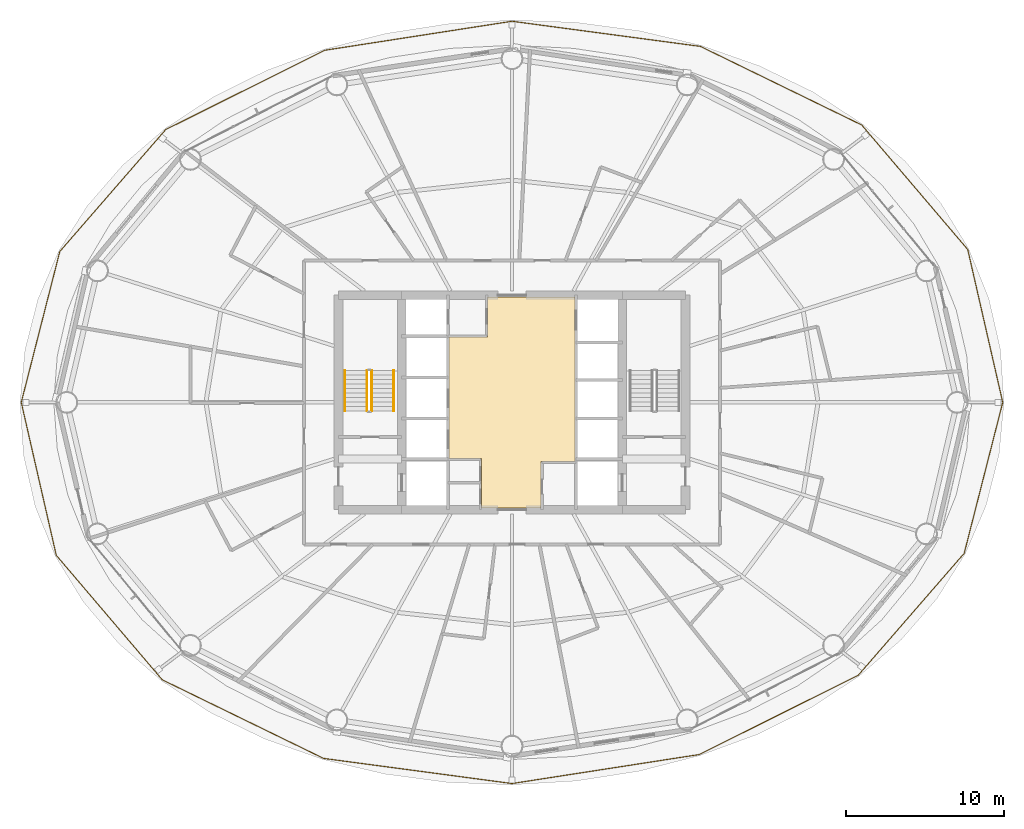
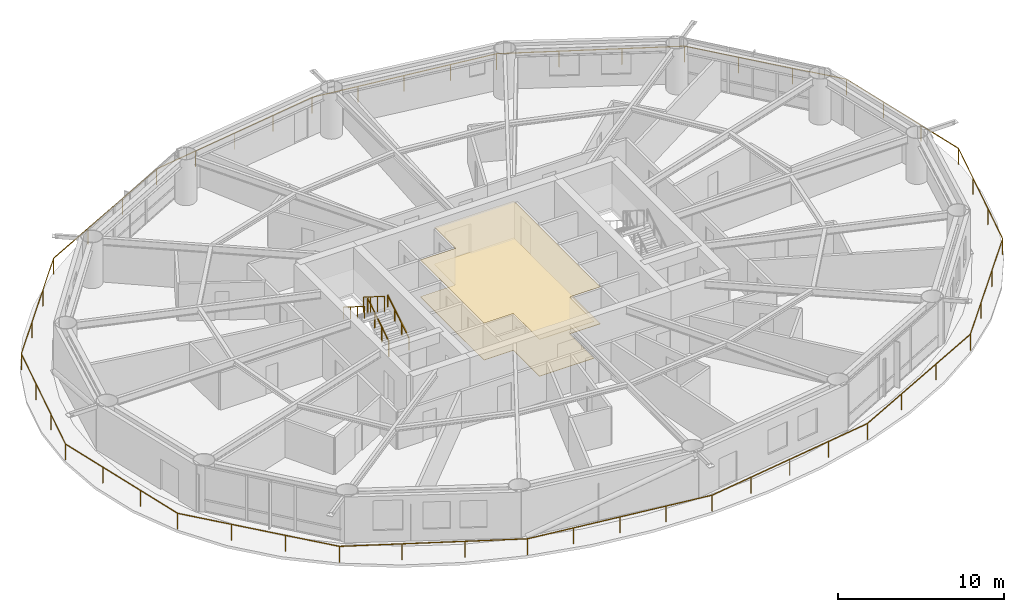
# One storey, part 23 of 24: 5 railings, 2 coverings.
"""IFC4 building model written with IfcOpenShell, lengths in metres."""

from ifc_helpers import new_model, si_unit, direction, frame, origin, origin_2d, place, context, subcontext, project, spatial, polyline, rectangle, outline, extrude, material, layer, layer_set, type_object, element, save


model = new_model("IFC4")

# Units and contexts
model_context = context("Model", 3, precision=1e-05, world=origin(), true_north=direction((0.0, 1.0)))
body_context = subcontext(model_context, "Body", "Model", "MODEL_VIEW")
ifc_project = project(units=[si_unit("LENGTHUNIT", "METRE"), si_unit("AREAUNIT", "SQUARE_METRE"), si_unit("VOLUMEUNIT", "CUBIC_METRE"), si_unit("PLANEANGLEUNIT", "RADIAN"), si_unit("MASSUNIT", "GRAM", prefix="KILO")], contexts=[model_context])

# Site, building, storey
site_placement = place(None, origin())
site = spatial("IfcSite", under=ifc_project, at=site_placement, CompositionType="ELEMENT")
building_placement = place(site_placement, origin())
building = spatial("IfcBuilding", under=site, at=building_placement, Name="Sarneth Arch Tower", CompositionType="ELEMENT")
storey_placement = place(building_placement, frame((0.0, 0.0, 91.199951171875)))
storey = spatial("IfcBuildingStorey", under=building, at=storey_placement, Name="L22", CompositionType="ELEMENT", Elevation=91.199951171875)

# Coverings
ifc_material_1 = material(Name="Perforated acoustic gypsum ceiling board")
ifc_layer_1 = layer(ifc_material_1, 0.02490234375)
ifc_layer_set_1 = layer_set([ifc_layer_1], Name="Perforated acoustic gypsum ceiling board")
covering_type_1 = type_object("IfcCoveringType", Name="COV-CEIL-GYP", PredefinedType="CEILING", material=ifc_layer_set_1)
covering_1_placement = place(storey_placement, frame((0.0, 0.0, 2.7099609375)))
element("IfcCovering", 1, at=covering_1_placement, inside=storey, type_object=covering_type_1, Name="L22 Lift lobby acoustic ceiling", PredefinedType="CEILING", context=body_context, shape_type="SweptSolid", body=[
    extrude(outline(polyline([(49.85009765625, 38.25), (49.85009765625, 35.300048828125), (46.050048828125, 35.300048828125), (46.050048828125, 38.449951171875), (44.0, 38.449951171875), (44.0, 46.14990234375), (46.449951171875, 46.14990234375), (46.449951171875, 48.699951171875), (52.0, 48.699951171875), (52.0, 38.25), (49.85009765625, 38.25)])), origin(), (0.0, 0.0, 1.0), 0.030029296875),
])
ifc_material_2 = material(Name="Honed granite stone flooring", Category="masonry")
ifc_layer_2 = layer(ifc_material_2, 0.030029296875)
ifc_layer_set_2 = layer_set([ifc_layer_2], Name="Honed granite stone flooring")
covering_type_2 = type_object("IfcCoveringType", Name="COV-FLR-STONE", PredefinedType="FLOORING", material=ifc_layer_set_2)
covering_2_placement = place(storey_placement, origin())
element("IfcCovering", 2, at=covering_2_placement, inside=storey, type_object=covering_type_2, Name="L22 Lift lobby granite flooring", PredefinedType="FLOORING", context=body_context, shape_type="SweptSolid", body=[
    extrude(outline(polyline([(49.85009765625, 38.25), (49.85009765625, 35.300048828125), (46.050048828125, 35.300048828125), (46.050048828125, 38.449951171875), (44.0, 38.449951171875), (44.0, 46.14990234375), (46.449951171875, 46.14990234375), (46.449951171875, 48.699951171875), (52.0, 48.699951171875), (52.0, 38.25), (49.85009765625, 38.25)])), origin(), (0.0, 0.0, 1.0), 0.030029296875),
])

# Railings
ifc_material_3 = material(Name="Laminated structural glass infill with Stainless Steel 316 top rail and posts", Category="steel")
railing_type_1 = type_object("IfcRailingType", Name="RAIL-BALC-1200", PredefinedType="BALUSTRADE", material=ifc_material_3)
railing_1_placement = place(storey_placement, frame((79.127197265625, 42.0, 0.0)))
element("IfcRailing", 3, at=railing_1_placement, inside=storey, type_object=railing_type_1, Name="L22 Helical balcony glass balustrade", PredefinedType="BALUSTRADE", context=body_context, shape_type="SweptSolid", body=[
    extrude(rectangle(XDim=0.048095703125, YDim=0.048095703125, at=origin_2d()), frame((0.0, 0.0, 1.17578125), z_axis=(-0.223203239063, 0.974771929259, 0.0), x_axis=(-0.974771929259, -0.223203239063, 0.0)), (0.0, 0.0, 1.0), 9.94921875),
    extrude(rectangle(XDim=0.048095703125, YDim=0.048095703125, at=origin_2d()), frame((-2.220703125, 9.6982421875, 1.17578125), z_axis=(-0.648252225196, 0.761425671047, 0.0), x_axis=(-0.761425671047, -0.648252225196, 0.0)), (0.0, 0.0, 1.0), 10.371826171875),
    extrude(rectangle(XDim=0.048095703125, YDim=0.048095703125, at=origin_2d()), frame((-8.9443359375, 17.595703125, 1.17578125), z_axis=(-0.898980120889, 0.43798943166, 0.0), x_axis=(-0.43798943166, -0.898980120889, 0.0)), (0.0, 0.0, 1.0), 11.37841796875),
    extrude(rectangle(XDim=0.048095703125, YDim=0.048095703125, at=origin_2d()), frame((-19.17333984375, 22.579345703125, 1.17578125), z_axis=(-0.991202422705, 0.132354664535, 0.0), x_axis=(-0.132354664535, -0.991202422705, 0.0)), (0.0, 0.0, 1.0), 12.06005859375),
    extrude(rectangle(XDim=0.048095703125, YDim=0.048095703125, at=origin_2d()), frame((-31.127197265625, 24.175537109375, 1.17578125), z_axis=(-0.988194908919, -0.153201899422, 0.0), x_axis=(0.153201899422, -0.988194908919, 0.0)), (0.0, 0.0, 1.0), 12.018798828125),
    extrude(rectangle(XDim=0.048095703125, YDim=0.048095703125, at=origin_2d()), frame((-43.004150390625, 22.334228515625, 1.17578125), z_axis=(-0.894946425896, -0.44617361506, 0.0), x_axis=(0.44617361506, -0.894946425896, 0.0)), (0.0, 0.0, 1.0), 11.271484375),
    extrude(rectangle(XDim=0.048095703125, YDim=0.048095703125, at=origin_2d()), frame((-53.091552734375, 17.30517578125, 1.17578125), z_axis=(-0.655839329798, -0.754900505689, 0.0), x_axis=(0.754900505689, -0.655839329798, 0.0)), (0.0, 0.0, 1.0), 10.24267578125),
    extrude(rectangle(XDim=0.048095703125, YDim=0.048095703125, at=origin_2d()), frame((-59.80908203125, 9.572998046875, 1.17578125), z_axis=(-0.247491827543, -0.968889981009, 0.0), x_axis=(0.968889981009, -0.247491827543, 0.0)), (0.0, 0.0, 1.0), 9.88037109375),
    extrude(rectangle(XDim=0.048095703125, YDim=0.048095703125, at=origin_2d()), frame((-62.25439453125, 0.0, 1.17578125), z_axis=(0.223203239063, -0.974771929259, 0.0), x_axis=(0.974771929259, 0.223203239063, 0.0)), (0.0, 0.0, 1.0), 9.94921875),
    extrude(rectangle(XDim=0.048095703125, YDim=0.048095703125, at=origin_2d()), frame((-60.03369140625, -9.6982421875, 1.17578125), z_axis=(0.648252225196, -0.761425671047, 0.0), x_axis=(0.761425671047, 0.648252225196, 0.0)), (0.0, 0.0, 1.0), 10.371826171875),
    extrude(rectangle(XDim=0.048095703125, YDim=0.048095703125, at=origin_2d()), frame((-53.31005859375, -17.595703125, 1.17578125), z_axis=(0.898980120889, -0.43798943166, 0.0), x_axis=(0.43798943166, 0.898980120889, 0.0)), (0.0, 0.0, 1.0), 11.37841796875),
    extrude(rectangle(XDim=0.048095703125, YDim=0.048095703125, at=origin_2d()), frame((-43.0810546875, -22.579345703125, 1.17578125), z_axis=(0.991202422705, -0.132354664535, 0.0), x_axis=(0.132354664535, 0.991202422705, 0.0)), (0.0, 0.0, 1.0), 12.06005859375),
    extrude(rectangle(XDim=0.048095703125, YDim=0.048095703125, at=origin_2d()), frame((-31.127197265625, -24.175537109375, 1.17578125), z_axis=(0.988194908919, 0.153201899422, 0.0), x_axis=(-0.153201899422, 0.988194908919, 0.0)), (0.0, 0.0, 1.0), 12.018798828125),
    extrude(rectangle(XDim=0.048095703125, YDim=0.048095703125, at=origin_2d()), frame((-19.250244140625, -22.334228515625, 1.17578125), z_axis=(0.894946425896, 0.44617361506, 0.0), x_axis=(-0.44617361506, 0.894946425896, 0.0)), (0.0, 0.0, 1.0), 11.271484375),
    extrude(rectangle(XDim=0.048095703125, YDim=0.048095703125, at=origin_2d()), frame((-9.162841796875, -17.30517578125, 1.17578125), z_axis=(0.655839329798, 0.754900505689, 0.0), x_axis=(-0.754900505689, 0.655839329798, 0.0)), (0.0, 0.0, 1.0), 10.24267578125),
    extrude(rectangle(XDim=0.048095703125, YDim=0.048095703125, at=origin_2d()), frame((-2.4453125, -9.572998046875, 1.17578125), z_axis=(0.247491827543, 0.968889981009, 0.0), x_axis=(-0.968889981009, 0.247491827543, 0.0)), (0.0, 0.0, 1.0), 9.88037109375),
    extrude(rectangle(XDim=0.0419921875, YDim=0.0419921875, at=origin_2d()), origin(), (0.0, 0.0, 1.0), 1.15185546875),
    extrude(rectangle(XDim=0.0419921875, YDim=0.0419921875, at=origin_2d()), frame((-0.740234375, 3.232666015625, 0.0)), (0.0, 0.0, 1.0), 1.15185546875),
    extrude(rectangle(XDim=0.0419921875, YDim=0.0419921875, at=origin_2d()), frame((-1.48046875, 6.465576171875, 0.0)), (0.0, 0.0, 1.0), 1.15185546875),
    extrude(rectangle(XDim=0.0419921875, YDim=0.0419921875, at=origin_2d()), frame((-2.220703125, 9.6982421875, 0.0)), (0.0, 0.0, 1.0), 1.15185546875),
    extrude(rectangle(XDim=0.0419921875, YDim=0.0419921875, at=origin_2d()), frame((-4.4619140625, 12.330810546875, 0.0)), (0.0, 0.0, 1.0), 1.15185546875),
    extrude(rectangle(XDim=0.0419921875, YDim=0.0419921875, at=origin_2d()), frame((-6.703125, 14.963134765625, 0.0)), (0.0, 0.0, 1.0), 1.15185546875),
    extrude(rectangle(XDim=0.0419921875, YDim=0.0419921875, at=origin_2d()), frame((-8.9443359375, 17.595703125, 0.0)), (0.0, 0.0, 1.0), 1.15185546875),
    extrude(rectangle(XDim=0.0419921875, YDim=0.0419921875, at=origin_2d()), frame((-12.35400390625, 19.2568359375, 0.0)), (0.0, 0.0, 1.0), 1.15185546875),
    extrude(rectangle(XDim=0.0419921875, YDim=0.0419921875, at=origin_2d()), frame((-15.763671875, 20.918212890625, 0.0)), (0.0, 0.0, 1.0), 1.15185546875),
    extrude(rectangle(XDim=0.0419921875, YDim=0.0419921875, at=origin_2d()), frame((-19.17333984375, 22.579345703125, 0.0)), (0.0, 0.0, 1.0), 1.15185546875),
    extrude(rectangle(XDim=0.0419921875, YDim=0.0419921875, at=origin_2d()), frame((-22.161865234375, 22.978515625, 0.0)), (0.0, 0.0, 1.0), 1.15185546875),
    extrude(rectangle(XDim=0.0419921875, YDim=0.0419921875, at=origin_2d()), frame((-25.150390625, 23.37744140625, 0.0)), (0.0, 0.0, 1.0), 1.15185546875),
    extrude(rectangle(XDim=0.0419921875, YDim=0.0419921875, at=origin_2d()), frame((-28.138671875, 23.7763671875, 0.0)), (0.0, 0.0, 1.0), 1.15185546875),
    extrude(rectangle(XDim=0.0419921875, YDim=0.0419921875, at=origin_2d()), frame((-31.127197265625, 24.175537109375, 0.0)), (0.0, 0.0, 1.0), 1.15185546875),
    extrude(rectangle(XDim=0.0419921875, YDim=0.0419921875, at=origin_2d()), frame((-34.096435546875, 23.71533203125, 0.0)), (0.0, 0.0, 1.0), 1.15185546875),
    extrude(rectangle(XDim=0.0419921875, YDim=0.0419921875, at=origin_2d()), frame((-37.065673828125, 23.2548828125, 0.0)), (0.0, 0.0, 1.0), 1.15185546875),
    extrude(rectangle(XDim=0.0419921875, YDim=0.0419921875, at=origin_2d()), frame((-40.034912109375, 22.79443359375, 0.0)), (0.0, 0.0, 1.0), 1.15185546875),
    extrude(rectangle(XDim=0.0419921875, YDim=0.0419921875, at=origin_2d()), frame((-43.004150390625, 22.334228515625, 0.0)), (0.0, 0.0, 1.0), 1.15185546875),
    extrude(rectangle(XDim=0.0419921875, YDim=0.0419921875, at=origin_2d()), frame((-46.36669921875, 20.657958984375, 0.0)), (0.0, 0.0, 1.0), 1.15185546875),
    extrude(rectangle(XDim=0.0419921875, YDim=0.0419921875, at=origin_2d()), frame((-49.72900390625, 18.9814453125, 0.0)), (0.0, 0.0, 1.0), 1.15185546875),
    extrude(rectangle(XDim=0.0419921875, YDim=0.0419921875, at=origin_2d()), frame((-53.091552734375, 17.30517578125, 0.0)), (0.0, 0.0, 1.0), 1.15185546875),
    extrude(rectangle(XDim=0.0419921875, YDim=0.0419921875, at=origin_2d()), frame((-55.330810546875, 14.727783203125, 0.0)), (0.0, 0.0, 1.0), 1.15185546875),
    extrude(rectangle(XDim=0.0419921875, YDim=0.0419921875, at=origin_2d()), frame((-57.56982421875, 12.150390625, 0.0)), (0.0, 0.0, 1.0), 1.15185546875),
    extrude(rectangle(XDim=0.0419921875, YDim=0.0419921875, at=origin_2d()), frame((-59.80908203125, 9.572998046875, 0.0)), (0.0, 0.0, 1.0), 1.15185546875),
    extrude(rectangle(XDim=0.0419921875, YDim=0.0419921875, at=origin_2d()), frame((-60.624267578125, 6.382080078125, 0.0)), (0.0, 0.0, 1.0), 1.15185546875),
    extrude(rectangle(XDim=0.0419921875, YDim=0.0419921875, at=origin_2d()), frame((-61.439208984375, 3.19091796875, 0.0)), (0.0, 0.0, 1.0), 1.15185546875),
    extrude(rectangle(XDim=0.0419921875, YDim=0.0419921875, at=origin_2d()), frame((-62.25439453125, 0.0, 0.0)), (0.0, 0.0, 1.0), 1.15185546875),
    extrude(rectangle(XDim=0.0419921875, YDim=0.0419921875, at=origin_2d()), frame((-61.51416015625, -3.232666015625, 0.0)), (0.0, 0.0, 1.0), 1.15185546875),
    extrude(rectangle(XDim=0.0419921875, YDim=0.0419921875, at=origin_2d()), frame((-60.77392578125, -6.465576171875, 0.0)), (0.0, 0.0, 1.0), 1.15185546875),
    extrude(rectangle(XDim=0.0419921875, YDim=0.0419921875, at=origin_2d()), frame((-60.03369140625, -9.6982421875, 0.0)), (0.0, 0.0, 1.0), 1.15185546875),
    extrude(rectangle(XDim=0.0419921875, YDim=0.0419921875, at=origin_2d()), frame((-57.79248046875, -12.330810546875, 0.0)), (0.0, 0.0, 1.0), 1.15185546875),
    extrude(rectangle(XDim=0.0419921875, YDim=0.0419921875, at=origin_2d()), frame((-55.55126953125, -14.963134765625, 0.0)), (0.0, 0.0, 1.0), 1.15185546875),
    extrude(rectangle(XDim=0.0419921875, YDim=0.0419921875, at=origin_2d()), frame((-53.31005859375, -17.595703125, 0.0)), (0.0, 0.0, 1.0), 1.15185546875),
    extrude(rectangle(XDim=0.0419921875, YDim=0.0419921875, at=origin_2d()), frame((-49.900390625, -19.2568359375, 0.0)), (0.0, 0.0, 1.0), 1.15185546875),
    extrude(rectangle(XDim=0.0419921875, YDim=0.0419921875, at=origin_2d()), frame((-46.49072265625, -20.918212890625, 0.0)), (0.0, 0.0, 1.0), 1.15185546875),
    extrude(rectangle(XDim=0.0419921875, YDim=0.0419921875, at=origin_2d()), frame((-43.0810546875, -22.579345703125, 0.0)), (0.0, 0.0, 1.0), 1.15185546875),
    extrude(rectangle(XDim=0.0419921875, YDim=0.0419921875, at=origin_2d()), frame((-40.092529296875, -22.978515625, 0.0)), (0.0, 0.0, 1.0), 1.15185546875),
    extrude(rectangle(XDim=0.0419921875, YDim=0.0419921875, at=origin_2d()), frame((-37.10400390625, -23.37744140625, 0.0)), (0.0, 0.0, 1.0), 1.15185546875),
    extrude(rectangle(XDim=0.0419921875, YDim=0.0419921875, at=origin_2d()), frame((-34.11572265625, -23.7763671875, 0.0)), (0.0, 0.0, 1.0), 1.15185546875),
    extrude(rectangle(XDim=0.0419921875, YDim=0.0419921875, at=origin_2d()), frame((-31.127197265625, -24.175537109375, 0.0)), (0.0, 0.0, 1.0), 1.15185546875),
    extrude(rectangle(XDim=0.0419921875, YDim=0.0419921875, at=origin_2d()), frame((-28.157958984375, -23.71533203125, 0.0)), (0.0, 0.0, 1.0), 1.15185546875),
    extrude(rectangle(XDim=0.0419921875, YDim=0.0419921875, at=origin_2d()), frame((-25.188720703125, -23.2548828125, 0.0)), (0.0, 0.0, 1.0), 1.15185546875),
    extrude(rectangle(XDim=0.0419921875, YDim=0.0419921875, at=origin_2d()), frame((-22.219482421875, -22.79443359375, 0.0)), (0.0, 0.0, 1.0), 1.15185546875),
    extrude(rectangle(XDim=0.0419921875, YDim=0.0419921875, at=origin_2d()), frame((-19.250244140625, -22.334228515625, 0.0)), (0.0, 0.0, 1.0), 1.15185546875),
    extrude(rectangle(XDim=0.0419921875, YDim=0.0419921875, at=origin_2d()), frame((-15.8876953125, -20.657958984375, 0.0)), (0.0, 0.0, 1.0), 1.15185546875),
    extrude(rectangle(XDim=0.0419921875, YDim=0.0419921875, at=origin_2d()), frame((-12.525390625, -18.9814453125, 0.0)), (0.0, 0.0, 1.0), 1.15185546875),
    extrude(rectangle(XDim=0.0419921875, YDim=0.0419921875, at=origin_2d()), frame((-9.162841796875, -17.30517578125, 0.0)), (0.0, 0.0, 1.0), 1.15185546875),
    extrude(rectangle(XDim=0.0419921875, YDim=0.0419921875, at=origin_2d()), frame((-6.923583984375, -14.727783203125, 0.0)), (0.0, 0.0, 1.0), 1.15185546875),
    extrude(rectangle(XDim=0.0419921875, YDim=0.0419921875, at=origin_2d()), frame((-4.6845703125, -12.150390625, 0.0)), (0.0, 0.0, 1.0), 1.15185546875),
    extrude(rectangle(XDim=0.0419921875, YDim=0.0419921875, at=origin_2d()), frame((-2.4453125, -9.572998046875, 0.0)), (0.0, 0.0, 1.0), 1.15185546875),
    extrude(rectangle(XDim=0.0419921875, YDim=0.0419921875, at=origin_2d()), frame((-1.630126953125, -6.382080078125, 0.0)), (0.0, 0.0, 1.0), 1.15185546875),
    extrude(rectangle(XDim=0.0419921875, YDim=0.0419921875, at=origin_2d()), frame((-0.815185546875, -3.19091796875, 0.0)), (0.0, 0.0, 1.0), 1.15185546875),
])
ifc_material_4 = material(Name="Brushed Stainless Steel 304 tubular handrail", Category="steel")
railing_type_2 = type_object("IfcRailingType", Name="RAIL-HANDRAIL-900", PredefinedType="HANDRAIL", material=ifc_material_4)
railing_2_placement = place(storey_placement, frame((40.5, 41.449951171875, 0.179931640625)))
element("IfcRailing", 4, at=railing_2_placement, inside=storey, type_object=railing_type_2, Name="L22 ST-1 stair handrail 1", PredefinedType="HANDRAIL", context=body_context, shape_type="SweptSolid", body=[
    extrude(rectangle(XDim=0.048095703125, YDim=0.048095703125, at=origin_2d()), frame((0.0, 0.0, 0.8759765625), z_axis=(0.0, 0.845465955043, 0.534029323973), x_axis=(-1.0, 0.0, 0.0)), (0.0, 0.0, 1.0), 3.03369140625),
    extrude(rectangle(XDim=0.0419921875, YDim=0.0419921875, at=origin_2d()), origin(), (0.0, 0.0, 1.0), 0.851806640625),
    extrude(rectangle(XDim=0.0419921875, YDim=0.0419921875, at=origin_2d()), frame((0.0, 0.85498046875, 0.5400390625)), (0.0, 0.0, 1.0), 0.851806640625),
    extrude(rectangle(XDim=0.0419921875, YDim=0.0419921875, at=origin_2d()), frame((0.0, 1.7099609375, 1.080078125)), (0.0, 0.0, 1.0), 0.851806640625),
    extrude(rectangle(XDim=0.0419921875, YDim=0.0419921875, at=origin_2d()), frame((0.0, 2.56494140625, 1.6201171875)), (0.0, 0.0, 1.0), 0.851806640625),
])
railing_3_placement = place(storey_placement, frame((37.39990234375, 44.014892578125, 1.97998046875)))
element("IfcRailing", 5, at=railing_3_placement, inside=storey, type_object=railing_type_2, Name="L22 ST-1 stair handrail 2", PredefinedType="HANDRAIL", context=body_context, shape_type="SweptSolid", body=[
    extrude(rectangle(XDim=0.048095703125, YDim=0.048095703125, at=origin_2d()), frame((0.0, 0.0, 0.8759765625), z_axis=(0.0, -0.845465955043, 0.534029323973), x_axis=(1.0, 0.0, 0.0)), (0.0, 0.0, 1.0), 3.03369140625),
    extrude(rectangle(XDim=0.0419921875, YDim=0.0419921875, at=origin_2d()), origin(), (0.0, 0.0, 1.0), 0.851806640625),
    extrude(rectangle(XDim=0.0419921875, YDim=0.0419921875, at=origin_2d()), frame((0.0, -0.85498046875, 0.5400390625)), (0.0, 0.0, 1.0), 0.851806640625),
    extrude(rectangle(XDim=0.0419921875, YDim=0.0419921875, at=origin_2d()), frame((0.0, -1.7099609375, 1.080078125)), (0.0, 0.0, 1.0), 0.851806640625),
    extrude(rectangle(XDim=0.0419921875, YDim=0.0419921875, at=origin_2d()), frame((0.0, -2.56494140625, 1.6201171875)), (0.0, 0.0, 1.0), 0.851806640625),
])
ifc_material_5 = material(Name="Painted Steel S275 stair well guard", Category="steel")
railing_type_3 = type_object("IfcRailingType", Name="RAIL-STAIR-GUARD", PredefinedType="GUARDRAIL", material=ifc_material_5)
railing_4_placement = place(storey_placement, frame((39.10009765625, 41.449951171875, 0.179931640625)))
element("IfcRailing", 6, at=railing_4_placement, inside=storey, type_object=railing_type_3, Name="L22 ST-1 stair guard 1", PredefinedType="GUARDRAIL", context=body_context, shape_type="SweptSolid", body=[
    extrude(rectangle(XDim=0.048095703125, YDim=0.048095703125, at=origin_2d()), frame((0.0, 0.0, 1.1259765625), z_axis=(0.0, 0.845465955043, 0.534029323973), x_axis=(-1.0, 0.0, 0.0)), (0.0, 0.0, 1.0), 3.03369140625),
    extrude(rectangle(XDim=0.0419921875, YDim=0.0419921875, at=origin_2d()), origin(), (0.0, 0.0, 1.0), 1.101806640625),
    extrude(rectangle(XDim=0.0419921875, YDim=0.0419921875, at=origin_2d()), frame((0.0, 0.85498046875, 0.5400390625)), (0.0, 0.0, 1.0), 1.101806640625),
    extrude(rectangle(XDim=0.0419921875, YDim=0.0419921875, at=origin_2d()), frame((0.0, 1.7099609375, 1.080078125)), (0.0, 0.0, 1.0), 1.101806640625),
    extrude(rectangle(XDim=0.0419921875, YDim=0.0419921875, at=origin_2d()), frame((0.0, 2.56494140625, 1.6201171875)), (0.0, 0.0, 1.0), 1.101806640625),
])
railing_5_placement = place(storey_placement, frame((38.800048828125, 44.014892578125, 1.97998046875)))
element("IfcRailing", 7, at=railing_5_placement, inside=storey, type_object=railing_type_3, Name="L22 ST-1 stair guard 3", PredefinedType="GUARDRAIL", context=body_context, shape_type="SweptSolid", body=[
    extrude(rectangle(XDim=0.048095703125, YDim=0.048095703125, at=origin_2d()), frame((0.0, 0.0, 1.1259765625), z_axis=(0.0, -0.845465955043, 0.534029323973), x_axis=(1.0, 0.0, 0.0)), (0.0, 0.0, 1.0), 3.03369140625),
    extrude(rectangle(XDim=0.0419921875, YDim=0.0419921875, at=origin_2d()), origin(), (0.0, 0.0, 1.0), 1.101806640625),
    extrude(rectangle(XDim=0.0419921875, YDim=0.0419921875, at=origin_2d()), frame((0.0, -0.85498046875, 0.5400390625)), (0.0, 0.0, 1.0), 1.101806640625),
    extrude(rectangle(XDim=0.0419921875, YDim=0.0419921875, at=origin_2d()), frame((0.0, -1.7099609375, 1.080078125)), (0.0, 0.0, 1.0), 1.101806640625),
    extrude(rectangle(XDim=0.0419921875, YDim=0.0419921875, at=origin_2d()), frame((0.0, -2.56494140625, 1.6201171875)), (0.0, 0.0, 1.0), 1.101806640625),
])

save(model, "model.ifc")
